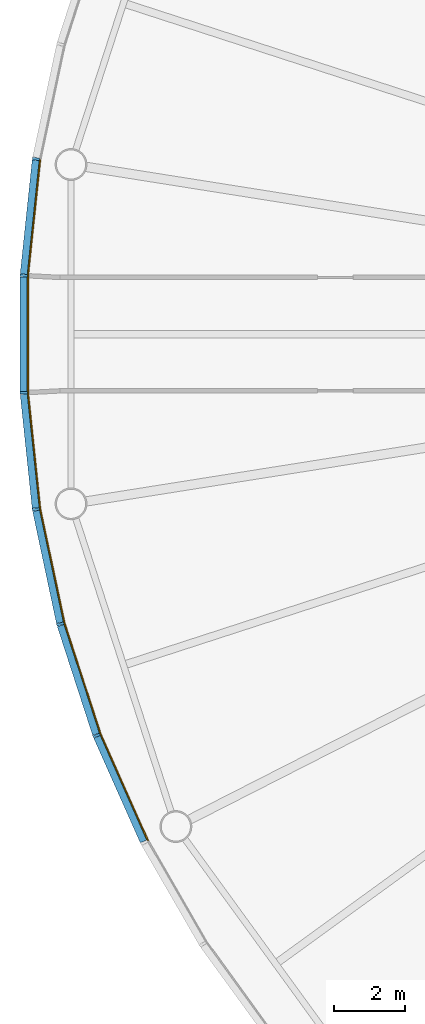
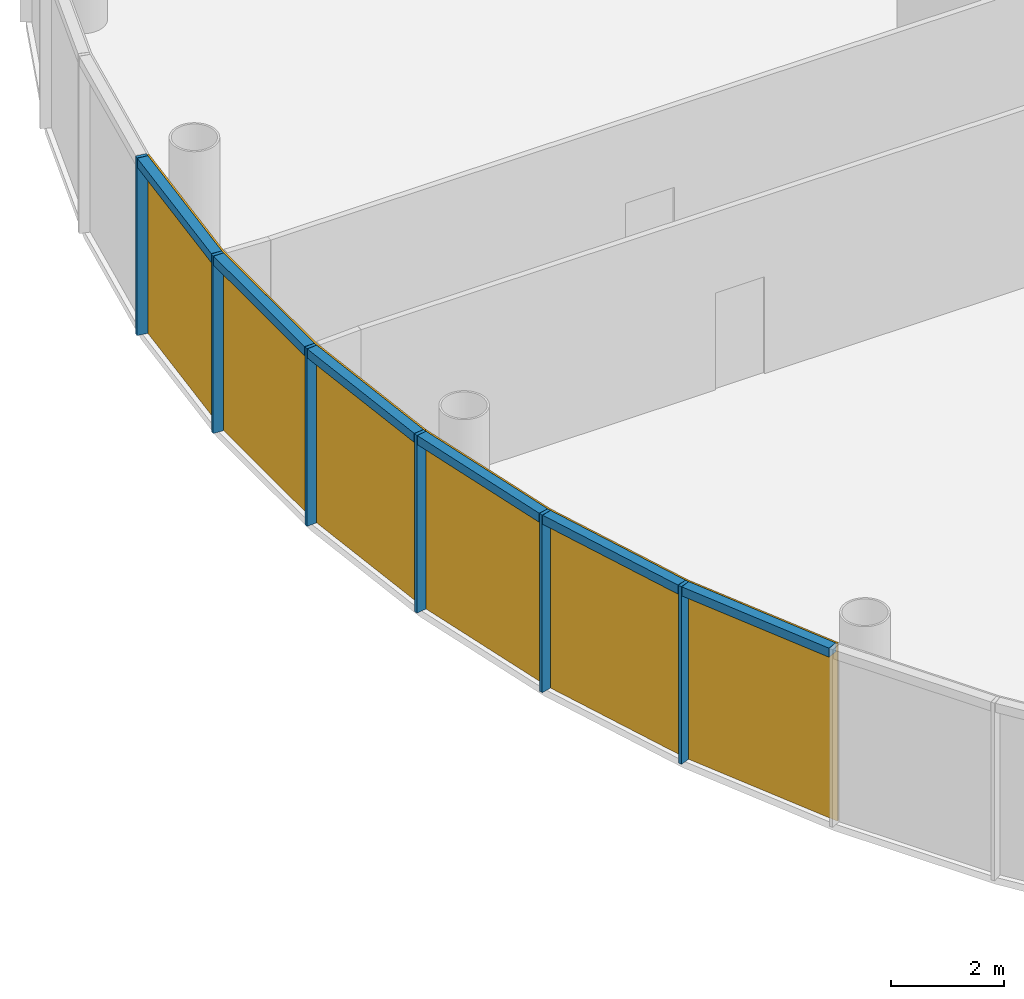
# One storey, part 8 of 13: 12 members, 2 curtain walls.
"""IFC4 building model written with IfcOpenShell, lengths in metres."""

from ifc_helpers import new_model, si_unit, direction, frame, origin, origin_2d, place, context, subcontext, project, spatial, polyline, rectangle, outline, extrude, material, layer, layer_set, material_profile, profile_set, type_object, element, aggregate, save


model = new_model("IFC4")

# Units and contexts
model_context = context("Model", 3, precision=1e-05, world=origin(), true_north=direction((0.0, 1.0)))
body_context = subcontext(model_context, "Body", "Model", "MODEL_VIEW")
ifc_project = project(units=[si_unit("LENGTHUNIT", "METRE"), si_unit("AREAUNIT", "SQUARE_METRE"), si_unit("VOLUMEUNIT", "CUBIC_METRE"), si_unit("PLANEANGLEUNIT", "RADIAN"), si_unit("MASSUNIT", "GRAM", prefix="KILO")], contexts=[model_context])

# Member
ifc_material_1 = material(Name="Anodised aluminium", Category="aluminium")
ifc_material_profile_1 = material_profile(ifc_material_1, rectangle(XDim=0.070068359375, YDim=0.205078125, at=origin_2d()), Name="Mullion 70 x 205 mm anodised aluminium")
ifc_profile_set_1 = profile_set([ifc_material_profile_1], Name="Anodised aluminium")
member_type_1 = type_object("IfcMemberType", Name="Mullion 70 x 205 mm anodised aluminium", PredefinedType="MULLION", material=ifc_profile_set_1)
site_placement = place(None, origin())
building_placement = place(site_placement, origin())
storey_placement = place(building_placement, frame((0.0, 0.0, 364.0)))
member_1_placement = place(storey_placement, frame((58.78662109375, 84.943603515625, 0.0), z_axis=(0.0, 0.0, 1.0), x_axis=(-0.15643446504, -0.987688340595, 0.0)))
member_1 = element("IfcMember", 1, at=member_1_placement, type_object=member_type_1, Name="MULLION L84-27", PredefinedType="MULLION", context=body_context, shape_type="SweptSolid", body=[
    extrude(rectangle(XDim=0.070068359375, YDim=0.205078125, at=origin_2d()), origin(), (0.0, 0.0, 1.0), 3.85009765625),
])

member_2_placement = place(storey_placement, frame((58.44091796875, 81.654052734375, 0.0), z_axis=(0.0, 0.0, 1.0), x_axis=(-0.052335956243, -0.998629534755, 0.0)))
member_2 = element("IfcMember", 2, at=member_2_placement, type_object=member_type_1, Name="MULLION L84-28", PredefinedType="MULLION", context=body_context, shape_type="SweptSolid", body=[
    extrude(rectangle(XDim=0.070068359375, YDim=0.205078125, at=origin_2d()), origin(), (0.0, 0.0, 1.0), 3.85009765625),
])

member_3_placement = place(storey_placement, frame((58.44091796875, 78.345947265625, 0.0), z_axis=(0.0, 0.0, 1.0), x_axis=(0.052335956243, -0.998629534755, 0.0)))
member_3 = element("IfcMember", 3, at=member_3_placement, type_object=member_type_1, Name="MULLION L84-29", PredefinedType="MULLION", context=body_context, shape_type="SweptSolid", body=[
    extrude(rectangle(XDim=0.070068359375, YDim=0.205078125, at=origin_2d()), origin(), (0.0, 0.0, 1.0), 3.85009765625),
])

member_4_placement = place(storey_placement, frame((58.78662109375, 75.056396484375, 0.0), z_axis=(0.0, 0.0, 1.0), x_axis=(0.15643446504, -0.987688340595, 0.0)))
member_4 = element("IfcMember", 4, at=member_4_placement, type_object=member_type_1, Name="MULLION L84-30", PredefinedType="MULLION", context=body_context, shape_type="SweptSolid", body=[
    extrude(rectangle(XDim=0.070068359375, YDim=0.205078125, at=origin_2d()), origin(), (0.0, 0.0, 1.0), 3.85009765625),
])

member_5_placement = place(storey_placement, frame((59.474365234375, 71.820556640625, 0.0), z_axis=(0.0, 0.0, 1.0), x_axis=(0.258819045103, -0.965925826289, 0.0)))
member_5 = element("IfcMember", 5, at=member_5_placement, type_object=member_type_1, Name="MULLION L84-31", PredefinedType="MULLION", context=body_context, shape_type="SweptSolid", body=[
    extrude(rectangle(XDim=0.070068359375, YDim=0.205078125, at=origin_2d()), origin(), (0.0, 0.0, 1.0), 3.85009765625),
])

member_6_placement = place(storey_placement, frame((60.49658203125, 68.674560546875, 0.0), z_axis=(0.0, 0.0, 1.0), x_axis=(0.358367949545, -0.933580426497, 0.0)))
member_6 = element("IfcMember", 6, at=member_6_placement, type_object=member_type_1, Name="MULLION L84-32", PredefinedType="MULLION", context=body_context, shape_type="SweptSolid", body=[
    extrude(rectangle(XDim=0.070068359375, YDim=0.205078125, at=origin_2d()), origin(), (0.0, 0.0, 1.0), 3.85009765625),
])

ifc_material_2 = material(Name="Anodised aluminium", Category="aluminium")
ifc_material_profile_2 = material_profile(ifc_material_2, rectangle(XDim=0.205078125, YDim=0.195068359375, at=origin_2d()), Name="Transom 195 x 205 mm anodised aluminium")
ifc_profile_set_2 = profile_set([ifc_material_profile_2], Name="Anodised aluminium")
member_type_2 = type_object("IfcMemberType", Name="Transom 195 x 205 mm anodised aluminium", PredefinedType="USERDEFINED", material=ifc_profile_set_2)
member_7_placement = place(storey_placement, frame((58.7822265625, 84.903564453125, 3.75244140625), z_axis=(-0.104550890115, -0.994519537956, 0.0), x_axis=(0.994519537956, -0.104550890115, 0.0)))
member_7 = element("IfcMember", 7, at=member_7_placement, type_object=member_type_2, Name="TRANSOM L84-27", ObjectType="TRANSOM", PredefinedType="USERDEFINED", context=body_context, shape_type="SweptSolid", body=[
    extrude(rectangle(XDim=0.205078125, YDim=0.195068359375, at=origin_2d()), origin(), (0.0, 0.0, 1.0), 3.22705078125),
])

member_8_placement = place(storey_placement, frame((58.440673828125, 81.613525390625, 3.75244140625), z_axis=(0.0, -1.0, 0.0), x_axis=(1.0, 0.0, 0.0)))
member_8 = element("IfcMember", 8, at=member_8_placement, type_object=member_type_2, Name="TRANSOM L84-28", ObjectType="TRANSOM", PredefinedType="USERDEFINED", context=body_context, shape_type="SweptSolid", body=[
    extrude(rectangle(XDim=0.205078125, YDim=0.195068359375, at=origin_2d()), origin(), (0.0, 0.0, 1.0), 3.22705078125),
])

member_9_placement = place(storey_placement, frame((58.44482421875, 78.305908203125, 3.75244140625), z_axis=(0.104550890115, -0.994519537956, 0.0), x_axis=(0.994519537956, 0.104550890115, 0.0)))
member_9 = element("IfcMember", 9, at=member_9_placement, type_object=member_type_2, Name="TRANSOM L84-29", ObjectType="TRANSOM", PredefinedType="USERDEFINED", context=body_context, shape_type="SweptSolid", body=[
    extrude(rectangle(XDim=0.205078125, YDim=0.195068359375, at=origin_2d()), origin(), (0.0, 0.0, 1.0), 3.22705078125),
])

member_10_placement = place(storey_placement, frame((58.794921875, 75.016845703125, 3.75244140625), z_axis=(0.207885898771, -0.978153082647, 0.0), x_axis=(0.978153082647, 0.207885898771, 0.0)))
member_10 = element("IfcMember", 10, at=member_10_placement, type_object=member_type_2, Name="TRANSOM L84-30", ObjectType="TRANSOM", PredefinedType="USERDEFINED", context=body_context, shape_type="SweptSolid", body=[
    extrude(rectangle(XDim=0.205078125, YDim=0.195068359375, at=origin_2d()), origin(), (0.0, 0.0, 1.0), 3.227294921875),
])

member_11_placement = place(storey_placement, frame((59.486572265625, 71.7822265625, 3.75244140625), z_axis=(0.309046726844, -0.951046855117, 0.0), x_axis=(0.951046855117, 0.309046726844, 0.0)))
member_11 = element("IfcMember", 11, at=member_11_placement, type_object=member_type_2, Name="TRANSOM L84-31", ObjectType="TRANSOM", PredefinedType="USERDEFINED", context=body_context, shape_type="SweptSolid", body=[
    extrude(rectangle(XDim=0.205078125, YDim=0.195068359375, at=origin_2d()), origin(), (0.0, 0.0, 1.0), 3.22705078125),
])

member_12_placement = place(storey_placement, frame((60.5126953125, 68.6376953125, 3.75244140625), z_axis=(0.406791170024, -0.913521178731, 0.0), x_axis=(0.913521178731, 0.406791170024, 0.0)))
member_12 = element("IfcMember", 12, at=member_12_placement, type_object=member_type_2, Name="TRANSOM L84-32", ObjectType="TRANSOM", PredefinedType="USERDEFINED", context=body_context, shape_type="SweptSolid", body=[
    extrude(rectangle(XDim=0.205078125, YDim=0.195068359375, at=origin_2d()), origin(), (0.0, 0.0, 1.0), 3.22705078125),
])

# Site, building, storey
site = spatial("IfcSite", under=ifc_project, at=site_placement, CompositionType="ELEMENT")
building = spatial("IfcBuilding", under=site, at=building_placement, Name="Entoto Ring Tower", CompositionType="ELEMENT")
storey = spatial("IfcBuildingStorey", under=building, at=storey_placement, Name="L84", CompositionType="ELEMENT", Elevation=364.0)

# Curtain wall
ifc_material_3 = material(Name="Clear low-iron glass", Category="glass")
ifc_layer = layer(ifc_material_3, 0.035888671875)
ifc_layer_set = layer_set([ifc_layer], Name="Clear low-iron glass")
curtain_wall_type = type_object("IfcCurtainWallType", Name="Curtain wall system CW6 glazing 36 mm", PredefinedType="NOTDEFINED", material=ifc_layer_set)
curtain_wall_1_placement = place(storey_placement, origin())
curtain_wall_1 = element("IfcCurtainWall", 13, at=curtain_wall_1_placement, inside=storey, type_object=curtain_wall_type, Name="CW6 L84-10", PredefinedType="NOTDEFINED", context=body_context, shape_type="SweptSolid", body=[
    extrude(outline(polyline([(58.8876953125, 84.927734375), (58.543212890625, 81.648681640625), (58.543212890625, 78.351318359375), (58.8876953125, 75.072265625), (58.92333984375, 75.077880859375), (58.5791015625, 78.353271484375), (58.5791015625, 81.646728515625), (58.92333984375, 84.922119140625), (58.8876953125, 84.927734375)])), origin(), (0.0, 0.0, 1.0), 3.85009765625),
])

aggregate(curtain_wall_1, [member_1, member_2, member_3, member_7, member_8, member_9])

curtain_wall_2_placement = place(storey_placement, origin())
curtain_wall_2 = element("IfcCurtainWall", 14, at=curtain_wall_2_placement, inside=storey, type_object=curtain_wall_type, Name="CW6 L84-11", PredefinedType="NOTDEFINED", context=body_context, shape_type="SweptSolid", body=[
    extrude(outline(polyline([(58.8876953125, 75.072265625), (59.5732421875, 71.84716796875), (60.59228515625, 68.71142578125), (61.933349609375, 65.69921875), (61.96533203125, 65.715576171875), (60.6259765625, 68.724365234375), (59.608154296875, 71.8564453125), (58.92333984375, 75.077880859375), (58.8876953125, 75.072265625)])), origin(), (0.0, 0.0, 1.0), 3.85009765625),
])

aggregate(curtain_wall_2, [member_4, member_5, member_6, member_10, member_11, member_12])

save(model, "model.ifc")
